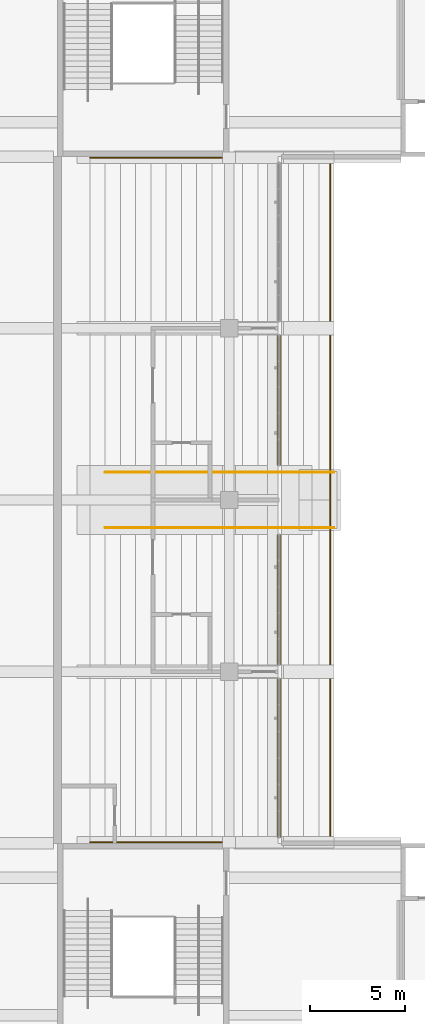
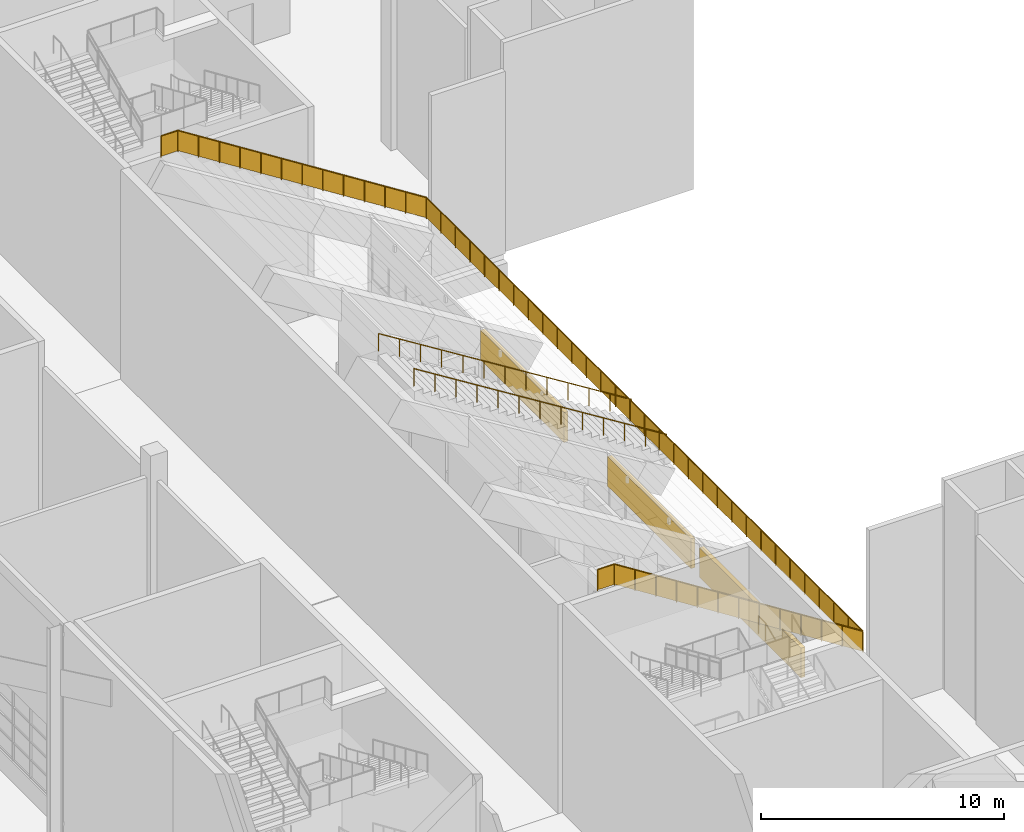
# One storey, part 151 of 182: 3 coverings, 3 railings.
"""IFC4 building model written with IfcOpenShell, lengths in metres."""

from ifc_helpers import new_model, si_unit, direction, frame, origin, origin_2d, place, context, subcontext, project, spatial, polyline, circle, outline, extrude, material, layer, layer_set, type_object, element, save


model = new_model("IFC4")

# Units and contexts
model_context = context("Model", 3, precision=1e-05, world=origin(), true_north=direction((0.0, 1.0)))
body_context = subcontext(model_context, "Body", "Model", "MODEL_VIEW")
ifc_project = project(units=[si_unit("LENGTHUNIT", "METRE"), si_unit("AREAUNIT", "SQUARE_METRE"), si_unit("VOLUMEUNIT", "CUBIC_METRE"), si_unit("PLANEANGLEUNIT", "RADIAN"), si_unit("MASSUNIT", "GRAM", prefix="KILO")], contexts=[model_context])

# Site, building, storey
site_placement = place(None, origin())
site = spatial("IfcSite", under=ifc_project, at=site_placement, CompositionType="ELEMENT")
building_placement = place(site_placement, origin())
building = spatial("IfcBuilding", under=site, at=building_placement, Name="Silverbay Arena", CompositionType="ELEMENT")
storey_placement = place(building_placement, frame((0.0, 0.0, 11.5)))
storey = spatial("IfcBuildingStorey", under=building, at=storey_placement, Name="L02", CompositionType="ELEMENT", Elevation=11.5)

# Railings
ifc_material_1 = material(Name="Stainless steel", Category="steel")
railing_type_1 = type_object("IfcRailingType", Name="Crowd barrier 1100", PredefinedType="GUARDRAIL", material=ifc_material_1)
railing_placement = place(storey_placement, frame((73.699951171875, 63.050048828125, 10.5)))
element("IfcRailing", 1, at=railing_placement, inside=storey, type_object=railing_type_1, Name="Crowd barrier West stand upper tier", PredefinedType="GUARDRAIL", context=body_context, shape_type="SweptSolid", body=[
    extrude(circle(Radius=0.02392578125, at=origin_2d()), frame((0.0, 0.0, 1.076171875), z_axis=(1.0, 0.0, 0.0), x_axis=(0.0, 1.0, 0.0)), (0.0, 0.0, 1.0), 0.800048828125),
    extrude(outline(polyline([(-0.008056640625, 0.050048828125), (0.80810546875, 0.050048828125), (0.80810546875, 1.052978515625), (-0.008056640625, 1.052978515625), (-0.008056640625, 0.050048828125)])), frame((0.0, 0.0029296875, 0.0), z_axis=(0.0, -1.0, 0.0), x_axis=(1.0, 0.0, 0.0)), (0.0, 0.0, 1.0), 0.006103515625),
    extrude(circle(Radius=0.02392578125, at=origin_2d()), frame((0.800048828125, 0.0, 1.076171875), z_axis=(0.843956866706, 0.0, -0.536411043081), x_axis=(0.0, 1.0, 0.0)), (0.0, 0.0, 1.0), 13.98193359375),
    extrude(outline(polyline([(-0.008056640625, 0.05517578125), (0.991455078125, -0.580078125), (0.991455078125, 0.4228515625), (-0.008056640625, 1.05810546875), (-0.008056640625, 0.05517578125)])), frame((0.800048828125, 0.0029296875, 0.0), z_axis=(0.0, -1.0, 0.0), x_axis=(1.0, 0.0, 0.0)), (0.0, 0.0, 1.0), 0.006103515625),
    extrude(outline(polyline([(-0.008056640625, -0.56982421875), (0.991455078125, -1.205078125), (0.991455078125, -0.2021484375), (-0.008056640625, 0.43310546875), (-0.008056640625, -0.56982421875)])), frame((1.783447265625, 0.0029296875, 0.0), z_axis=(0.0, -1.0, 0.0), x_axis=(1.0, 0.0, 0.0)), (0.0, 0.0, 1.0), 0.006103515625),
    extrude(outline(polyline([(-0.008056640625, -1.19482421875), (0.991455078125, -1.830078125), (0.991455078125, -0.8271484375), (-0.008056640625, -0.19189453125), (-0.008056640625, -1.19482421875)])), frame((2.7666015625, 0.0029296875, 0.0), z_axis=(0.0, -1.0, 0.0), x_axis=(1.0, 0.0, 0.0)), (0.0, 0.0, 1.0), 0.006103515625),
    extrude(outline(polyline([(-0.008056640625, -1.81982421875), (0.991455078125, -2.455078125), (0.991455078125, -1.4521484375), (-0.008056640625, -0.81689453125), (-0.008056640625, -1.81982421875)])), frame((3.75, 0.0029296875, 0.0), z_axis=(0.0, -1.0, 0.0), x_axis=(1.0, 0.0, 0.0)), (0.0, 0.0, 1.0), 0.006103515625),
    extrude(outline(polyline([(-0.008056640625, -2.44482421875), (0.991455078125, -3.080078125), (0.991455078125, -2.0771484375), (-0.008056640625, -1.44189453125), (-0.008056640625, -2.44482421875)])), frame((4.7333984375, 0.0029296875, 0.0), z_axis=(0.0, -1.0, 0.0), x_axis=(1.0, 0.0, 0.0)), (0.0, 0.0, 1.0), 0.006103515625),
    extrude(outline(polyline([(-0.008056640625, -3.06982421875), (0.991455078125, -3.705078125), (0.991455078125, -2.7021484375), (-0.008056640625, -2.06689453125), (-0.008056640625, -3.06982421875)])), frame((5.716796875, 0.0029296875, 0.0), z_axis=(0.0, -1.0, 0.0), x_axis=(1.0, 0.0, 0.0)), (0.0, 0.0, 1.0), 0.006103515625),
    extrude(outline(polyline([(-0.008056640625, -3.69482421875), (0.991455078125, -4.330078125), (0.991455078125, -3.3271484375), (-0.008056640625, -2.69189453125), (-0.008056640625, -3.69482421875)])), frame((6.7001953125, 0.0029296875, 0.0), z_axis=(0.0, -1.0, 0.0), x_axis=(1.0, 0.0, 0.0)), (0.0, 0.0, 1.0), 0.006103515625),
    extrude(outline(polyline([(-0.008056640625, -4.31982421875), (0.991455078125, -4.955078125), (0.991455078125, -3.9521484375), (-0.008056640625, -3.31689453125), (-0.008056640625, -4.31982421875)])), frame((7.683349609375, 0.0029296875, 0.0), z_axis=(0.0, -1.0, 0.0), x_axis=(1.0, 0.0, 0.0)), (0.0, 0.0, 1.0), 0.006103515625),
    extrude(outline(polyline([(-0.008056640625, -4.94482421875), (0.991455078125, -5.580078125), (0.991455078125, -4.5771484375), (-0.008056640625, -3.94189453125), (-0.008056640625, -4.94482421875)])), frame((8.666748046875, 0.0029296875, 0.0), z_axis=(0.0, -1.0, 0.0), x_axis=(1.0, 0.0, 0.0)), (0.0, 0.0, 1.0), 0.006103515625),
    extrude(outline(polyline([(-0.008056640625, -5.56982421875), (0.991455078125, -6.205078125), (0.991455078125, -5.2021484375), (-0.008056640625, -4.56689453125), (-0.008056640625, -5.56982421875)])), frame((9.650146484375, 0.0029296875, 0.0), z_axis=(0.0, -1.0, 0.0), x_axis=(1.0, 0.0, 0.0)), (0.0, 0.0, 1.0), 0.006103515625),
    extrude(outline(polyline([(-0.008056640625, -6.19482421875), (0.991455078125, -6.830078125), (0.991455078125, -5.8271484375), (-0.008056640625, -5.19189453125), (-0.008056640625, -6.19482421875)])), frame((10.63330078125, 0.0029296875, 0.0), z_axis=(0.0, -1.0, 0.0), x_axis=(1.0, 0.0, 0.0)), (0.0, 0.0, 1.0), 0.006103515625),
    extrude(outline(polyline([(-0.008056640625, -6.81982421875), (0.991455078125, -7.455078125), (0.991455078125, -6.4521484375), (-0.008056640625, -5.81689453125), (-0.008056640625, -6.81982421875)])), frame((11.61669921875, 0.0029296875, 0.0), z_axis=(0.0, -1.0, 0.0), x_axis=(1.0, 0.0, 0.0)), (0.0, 0.0, 1.0), 0.006103515625),
    extrude(circle(Radius=0.02392578125, at=origin_2d()), frame((12.60009765625, 0.0, -6.423828125), z_axis=(0.0, 1.0, 0.0), x_axis=(-1.0, 0.0, 0.0)), (0.0, 0.0, 1.0), 35.89990234375),
    extrude(outline(polyline([(-0.008056640625, -7.449951171875), (1.20458984375, -7.449951171875), (1.20458984375, -6.447021484375), (-0.008056640625, -6.447021484375), (-0.008056640625, -7.449951171875)])), frame((12.59716796875, 0.0, 0.0), z_axis=(1.0, 0.0, 0.0), x_axis=(0.0, 1.0, 0.0)), (0.0, 0.0, 1.0), 0.006103515625),
    extrude(outline(polyline([(-0.008056640625, -7.449951171875), (1.20458984375, -7.449951171875), (1.20458984375, -6.447021484375), (-0.008056640625, -6.447021484375), (-0.008056640625, -7.449951171875)])), frame((12.59716796875, 1.19677734375, 0.0), z_axis=(1.0, 0.0, 0.0), x_axis=(0.0, 1.0, 0.0)), (0.0, 0.0, 1.0), 0.006103515625),
    extrude(outline(polyline([(-0.008056640625, -7.449951171875), (1.20458984375, -7.449951171875), (1.20458984375, -6.447021484375), (-0.008056640625, -6.447021484375), (-0.008056640625, -7.449951171875)])), frame((12.59716796875, 2.393310546875, 0.0), z_axis=(1.0, 0.0, 0.0), x_axis=(0.0, 1.0, 0.0)), (0.0, 0.0, 1.0), 0.006103515625),
    extrude(outline(polyline([(-0.008056640625, -7.449951171875), (1.20458984375, -7.449951171875), (1.20458984375, -6.447021484375), (-0.008056640625, -6.447021484375), (-0.008056640625, -7.449951171875)])), frame((12.59716796875, 3.590087890625, 0.0), z_axis=(1.0, 0.0, 0.0), x_axis=(0.0, 1.0, 0.0)), (0.0, 0.0, 1.0), 0.006103515625),
    extrude(outline(polyline([(-0.008056640625, -7.449951171875), (1.20458984375, -7.449951171875), (1.20458984375, -6.447021484375), (-0.008056640625, -6.447021484375), (-0.008056640625, -7.449951171875)])), frame((12.59716796875, 4.78662109375, 0.0), z_axis=(1.0, 0.0, 0.0), x_axis=(0.0, 1.0, 0.0)), (0.0, 0.0, 1.0), 0.006103515625),
    extrude(outline(polyline([(-0.008056640625, -7.449951171875), (1.20458984375, -7.449951171875), (1.20458984375, -6.447021484375), (-0.008056640625, -6.447021484375), (-0.008056640625, -7.449951171875)])), frame((12.59716796875, 5.9833984375, 0.0), z_axis=(1.0, 0.0, 0.0), x_axis=(0.0, 1.0, 0.0)), (0.0, 0.0, 1.0), 0.006103515625),
    extrude(outline(polyline([(-0.008056640625, -7.449951171875), (1.20458984375, -7.449951171875), (1.20458984375, -6.447021484375), (-0.008056640625, -6.447021484375), (-0.008056640625, -7.449951171875)])), frame((12.59716796875, 7.179931640625, 0.0), z_axis=(1.0, 0.0, 0.0), x_axis=(0.0, 1.0, 0.0)), (0.0, 0.0, 1.0), 0.006103515625),
    extrude(outline(polyline([(-0.008056640625, -7.449951171875), (1.20458984375, -7.449951171875), (1.20458984375, -6.447021484375), (-0.008056640625, -6.447021484375), (-0.008056640625, -7.449951171875)])), frame((12.59716796875, 8.376708984375, 0.0), z_axis=(1.0, 0.0, 0.0), x_axis=(0.0, 1.0, 0.0)), (0.0, 0.0, 1.0), 0.006103515625),
    extrude(outline(polyline([(-0.008056640625, -7.449951171875), (1.20458984375, -7.449951171875), (1.20458984375, -6.447021484375), (-0.008056640625, -6.447021484375), (-0.008056640625, -7.449951171875)])), frame((12.59716796875, 9.5732421875, 0.0), z_axis=(1.0, 0.0, 0.0), x_axis=(0.0, 1.0, 0.0)), (0.0, 0.0, 1.0), 0.006103515625),
    extrude(outline(polyline([(-0.008056640625, -7.449951171875), (1.20458984375, -7.449951171875), (1.20458984375, -6.447021484375), (-0.008056640625, -6.447021484375), (-0.008056640625, -7.449951171875)])), frame((12.59716796875, 10.77001953125, 0.0), z_axis=(1.0, 0.0, 0.0), x_axis=(0.0, 1.0, 0.0)), (0.0, 0.0, 1.0), 0.006103515625),
    extrude(outline(polyline([(-0.008056640625, -7.449951171875), (1.20458984375, -7.449951171875), (1.20458984375, -6.447021484375), (-0.008056640625, -6.447021484375), (-0.008056640625, -7.449951171875)])), frame((12.59716796875, 11.966552734375, 0.0), z_axis=(1.0, 0.0, 0.0), x_axis=(0.0, 1.0, 0.0)), (0.0, 0.0, 1.0), 0.006103515625),
    extrude(outline(polyline([(-0.008056640625, -7.449951171875), (1.20458984375, -7.449951171875), (1.20458984375, -6.447021484375), (-0.008056640625, -6.447021484375), (-0.008056640625, -7.449951171875)])), frame((12.59716796875, 13.163330078125, 0.0), z_axis=(1.0, 0.0, 0.0), x_axis=(0.0, 1.0, 0.0)), (0.0, 0.0, 1.0), 0.006103515625),
    extrude(outline(polyline([(-0.008056640625, -7.449951171875), (1.20458984375, -7.449951171875), (1.20458984375, -6.447021484375), (-0.008056640625, -6.447021484375), (-0.008056640625, -7.449951171875)])), frame((12.59716796875, 14.35986328125, 0.0), z_axis=(1.0, 0.0, 0.0), x_axis=(0.0, 1.0, 0.0)), (0.0, 0.0, 1.0), 0.006103515625),
    extrude(outline(polyline([(-0.008056640625, -7.449951171875), (1.20458984375, -7.449951171875), (1.20458984375, -6.447021484375), (-0.008056640625, -6.447021484375), (-0.008056640625, -7.449951171875)])), frame((12.59716796875, 15.556640625, 0.0), z_axis=(1.0, 0.0, 0.0), x_axis=(0.0, 1.0, 0.0)), (0.0, 0.0, 1.0), 0.006103515625),
    extrude(outline(polyline([(-0.008056640625, -7.449951171875), (1.20458984375, -7.449951171875), (1.20458984375, -6.447021484375), (-0.008056640625, -6.447021484375), (-0.008056640625, -7.449951171875)])), frame((12.59716796875, 16.753173828125, 0.0), z_axis=(1.0, 0.0, 0.0), x_axis=(0.0, 1.0, 0.0)), (0.0, 0.0, 1.0), 0.006103515625),
    extrude(outline(polyline([(-0.008056640625, -7.449951171875), (1.20458984375, -7.449951171875), (1.20458984375, -6.447021484375), (-0.008056640625, -6.447021484375), (-0.008056640625, -7.449951171875)])), frame((12.59716796875, 17.949951171875, 0.0), z_axis=(1.0, 0.0, 0.0), x_axis=(0.0, 1.0, 0.0)), (0.0, 0.0, 1.0), 0.006103515625),
    extrude(outline(polyline([(-0.008056640625, -7.449951171875), (1.20458984375, -7.449951171875), (1.20458984375, -6.447021484375), (-0.008056640625, -6.447021484375), (-0.008056640625, -7.449951171875)])), frame((12.59716796875, 19.146728515625, 0.0), z_axis=(1.0, 0.0, 0.0), x_axis=(0.0, 1.0, 0.0)), (0.0, 0.0, 1.0), 0.006103515625),
    extrude(outline(polyline([(-0.008056640625, -7.449951171875), (1.20458984375, -7.449951171875), (1.20458984375, -6.447021484375), (-0.008056640625, -6.447021484375), (-0.008056640625, -7.449951171875)])), frame((12.59716796875, 20.34326171875, 0.0), z_axis=(1.0, 0.0, 0.0), x_axis=(0.0, 1.0, 0.0)), (0.0, 0.0, 1.0), 0.006103515625),
    extrude(outline(polyline([(-0.008056640625, -7.449951171875), (1.20458984375, -7.449951171875), (1.20458984375, -6.447021484375), (-0.008056640625, -6.447021484375), (-0.008056640625, -7.449951171875)])), frame((12.59716796875, 21.5400390625, 0.0), z_axis=(1.0, 0.0, 0.0), x_axis=(0.0, 1.0, 0.0)), (0.0, 0.0, 1.0), 0.006103515625),
    extrude(outline(polyline([(-0.008056640625, -7.449951171875), (1.20458984375, -7.449951171875), (1.20458984375, -6.447021484375), (-0.008056640625, -6.447021484375), (-0.008056640625, -7.449951171875)])), frame((12.59716796875, 22.736572265625, 0.0), z_axis=(1.0, 0.0, 0.0), x_axis=(0.0, 1.0, 0.0)), (0.0, 0.0, 1.0), 0.006103515625),
    extrude(outline(polyline([(-0.008056640625, -7.449951171875), (1.20458984375, -7.449951171875), (1.20458984375, -6.447021484375), (-0.008056640625, -6.447021484375), (-0.008056640625, -7.449951171875)])), frame((12.59716796875, 23.933349609375, 0.0), z_axis=(1.0, 0.0, 0.0), x_axis=(0.0, 1.0, 0.0)), (0.0, 0.0, 1.0), 0.006103515625),
    extrude(outline(polyline([(-0.008056640625, -7.449951171875), (1.20458984375, -7.449951171875), (1.20458984375, -6.447021484375), (-0.008056640625, -6.447021484375), (-0.008056640625, -7.449951171875)])), frame((12.59716796875, 25.1298828125, 0.0), z_axis=(1.0, 0.0, 0.0), x_axis=(0.0, 1.0, 0.0)), (0.0, 0.0, 1.0), 0.006103515625),
    extrude(outline(polyline([(-0.008056640625, -7.449951171875), (1.20458984375, -7.449951171875), (1.20458984375, -6.447021484375), (-0.008056640625, -6.447021484375), (-0.008056640625, -7.449951171875)])), frame((12.59716796875, 26.32666015625, 0.0), z_axis=(1.0, 0.0, 0.0), x_axis=(0.0, 1.0, 0.0)), (0.0, 0.0, 1.0), 0.006103515625),
    extrude(outline(polyline([(-0.008056640625, -7.449951171875), (1.20458984375, -7.449951171875), (1.20458984375, -6.447021484375), (-0.008056640625, -6.447021484375), (-0.008056640625, -7.449951171875)])), frame((12.59716796875, 27.523193359375, 0.0), z_axis=(1.0, 0.0, 0.0), x_axis=(0.0, 1.0, 0.0)), (0.0, 0.0, 1.0), 0.006103515625),
    extrude(outline(polyline([(-0.008056640625, -7.449951171875), (1.20458984375, -7.449951171875), (1.20458984375, -6.447021484375), (-0.008056640625, -6.447021484375), (-0.008056640625, -7.449951171875)])), frame((12.59716796875, 28.719970703125, 0.0), z_axis=(1.0, 0.0, 0.0), x_axis=(0.0, 1.0, 0.0)), (0.0, 0.0, 1.0), 0.006103515625),
    extrude(outline(polyline([(-0.008056640625, -7.449951171875), (1.20458984375, -7.449951171875), (1.20458984375, -6.447021484375), (-0.008056640625, -6.447021484375), (-0.008056640625, -7.449951171875)])), frame((12.59716796875, 29.91650390625, 0.0), z_axis=(1.0, 0.0, 0.0), x_axis=(0.0, 1.0, 0.0)), (0.0, 0.0, 1.0), 0.006103515625),
    extrude(outline(polyline([(-0.008056640625, -7.449951171875), (1.20458984375, -7.449951171875), (1.20458984375, -6.447021484375), (-0.008056640625, -6.447021484375), (-0.008056640625, -7.449951171875)])), frame((12.59716796875, 31.11328125, 0.0), z_axis=(1.0, 0.0, 0.0), x_axis=(0.0, 1.0, 0.0)), (0.0, 0.0, 1.0), 0.006103515625),
    extrude(outline(polyline([(-0.008056640625, -7.449951171875), (1.20458984375, -7.449951171875), (1.20458984375, -6.447021484375), (-0.008056640625, -6.447021484375), (-0.008056640625, -7.449951171875)])), frame((12.59716796875, 32.309814453125, 0.0), z_axis=(1.0, 0.0, 0.0), x_axis=(0.0, 1.0, 0.0)), (0.0, 0.0, 1.0), 0.006103515625),
    extrude(outline(polyline([(-0.008056640625, -7.449951171875), (1.20458984375, -7.449951171875), (1.20458984375, -6.447021484375), (-0.008056640625, -6.447021484375), (-0.008056640625, -7.449951171875)])), frame((12.59716796875, 33.506591796875, 0.0), z_axis=(1.0, 0.0, 0.0), x_axis=(0.0, 1.0, 0.0)), (0.0, 0.0, 1.0), 0.006103515625),
    extrude(outline(polyline([(-0.008056640625, -7.449951171875), (1.20458984375, -7.449951171875), (1.20458984375, -6.447021484375), (-0.008056640625, -6.447021484375), (-0.008056640625, -7.449951171875)])), frame((12.59716796875, 34.703125, 0.0), z_axis=(1.0, 0.0, 0.0), x_axis=(0.0, 1.0, 0.0)), (0.0, 0.0, 1.0), 0.006103515625),
    extrude(circle(Radius=0.02392578125, at=origin_2d()), frame((12.60009765625, 35.89990234375, -6.423828125), z_axis=(-0.843956866706, 0.0, 0.536411043081), x_axis=(0.0, -1.0, 0.0)), (0.0, 0.0, 1.0), 13.98193359375),
    extrude(outline(polyline([(-0.008056640625, -7.455078125), (0.991455078125, -6.81982421875), (0.991455078125, -5.81689453125), (-0.008056640625, -6.4521484375), (-0.008056640625, -7.455078125)])), frame((12.60009765625, 35.89697265625, 0.0), z_axis=(0.0, 1.0, 0.0), x_axis=(-1.0, 0.0, 0.0)), (0.0, 0.0, 1.0), 0.006103515625),
    extrude(outline(polyline([(-0.008056640625, -6.830078125), (0.991455078125, -6.19482421875), (0.991455078125, -5.19189453125), (-0.008056640625, -5.8271484375), (-0.008056640625, -6.830078125)])), frame((11.61669921875, 35.89697265625, 0.0), z_axis=(0.0, 1.0, 0.0), x_axis=(-1.0, 0.0, 0.0)), (0.0, 0.0, 1.0), 0.006103515625),
    extrude(outline(polyline([(-0.008056640625, -6.205078125), (0.991455078125, -5.56982421875), (0.991455078125, -4.56689453125), (-0.008056640625, -5.2021484375), (-0.008056640625, -6.205078125)])), frame((10.63330078125, 35.89697265625, 0.0), z_axis=(0.0, 1.0, 0.0), x_axis=(-1.0, 0.0, 0.0)), (0.0, 0.0, 1.0), 0.006103515625),
    extrude(outline(polyline([(-0.008056640625, -5.580078125), (0.991455078125, -4.94482421875), (0.991455078125, -3.94189453125), (-0.008056640625, -4.5771484375), (-0.008056640625, -5.580078125)])), frame((9.650146484375, 35.89697265625, 0.0), z_axis=(0.0, 1.0, 0.0), x_axis=(-1.0, 0.0, 0.0)), (0.0, 0.0, 1.0), 0.006103515625),
    extrude(outline(polyline([(-0.008056640625, -4.955078125), (0.991455078125, -4.31982421875), (0.991455078125, -3.31689453125), (-0.008056640625, -3.9521484375), (-0.008056640625, -4.955078125)])), frame((8.666748046875, 35.89697265625, 0.0), z_axis=(0.0, 1.0, 0.0), x_axis=(-1.0, 0.0, 0.0)), (0.0, 0.0, 1.0), 0.006103515625),
    extrude(outline(polyline([(-0.008056640625, -4.330078125), (0.991455078125, -3.69482421875), (0.991455078125, -2.69189453125), (-0.008056640625, -3.3271484375), (-0.008056640625, -4.330078125)])), frame((7.683349609375, 35.89697265625, 0.0), z_axis=(0.0, 1.0, 0.0), x_axis=(-1.0, 0.0, 0.0)), (0.0, 0.0, 1.0), 0.006103515625),
    extrude(outline(polyline([(-0.008056640625, -3.705078125), (0.991455078125, -3.06982421875), (0.991455078125, -2.06689453125), (-0.008056640625, -2.7021484375), (-0.008056640625, -3.705078125)])), frame((6.7001953125, 35.89697265625, 0.0), z_axis=(0.0, 1.0, 0.0), x_axis=(-1.0, 0.0, 0.0)), (0.0, 0.0, 1.0), 0.006103515625),
    extrude(outline(polyline([(-0.008056640625, -3.080078125), (0.991455078125, -2.44482421875), (0.991455078125, -1.44189453125), (-0.008056640625, -2.0771484375), (-0.008056640625, -3.080078125)])), frame((5.716796875, 35.89697265625, 0.0), z_axis=(0.0, 1.0, 0.0), x_axis=(-1.0, 0.0, 0.0)), (0.0, 0.0, 1.0), 0.006103515625),
    extrude(outline(polyline([(-0.008056640625, -2.455078125), (0.991455078125, -1.81982421875), (0.991455078125, -0.81689453125), (-0.008056640625, -1.4521484375), (-0.008056640625, -2.455078125)])), frame((4.7333984375, 35.89697265625, 0.0), z_axis=(0.0, 1.0, 0.0), x_axis=(-1.0, 0.0, 0.0)), (0.0, 0.0, 1.0), 0.006103515625),
    extrude(outline(polyline([(-0.008056640625, -1.830078125), (0.991455078125, -1.19482421875), (0.991455078125, -0.19189453125), (-0.008056640625, -0.8271484375), (-0.008056640625, -1.830078125)])), frame((3.75, 35.89697265625, 0.0), z_axis=(0.0, 1.0, 0.0), x_axis=(-1.0, 0.0, 0.0)), (0.0, 0.0, 1.0), 0.006103515625),
    extrude(outline(polyline([(-0.008056640625, -1.205078125), (0.991455078125, -0.56982421875), (0.991455078125, 0.43310546875), (-0.008056640625, -0.2021484375), (-0.008056640625, -1.205078125)])), frame((2.7666015625, 35.89697265625, 0.0), z_axis=(0.0, 1.0, 0.0), x_axis=(-1.0, 0.0, 0.0)), (0.0, 0.0, 1.0), 0.006103515625),
    extrude(outline(polyline([(-0.008056640625, -0.580078125), (0.991455078125, 0.05517578125), (0.991455078125, 1.05810546875), (-0.008056640625, 0.4228515625), (-0.008056640625, -0.580078125)])), frame((1.783447265625, 35.89697265625, 0.0), z_axis=(0.0, 1.0, 0.0), x_axis=(-1.0, 0.0, 0.0)), (0.0, 0.0, 1.0), 0.006103515625),
    extrude(circle(Radius=0.02392578125, at=origin_2d()), frame((0.800048828125, 35.89990234375, 1.076171875), z_axis=(-1.0, 0.0, 0.0), x_axis=(0.0, -1.0, 0.0)), (0.0, 0.0, 1.0), 0.800048828125),
    extrude(outline(polyline([(-0.008056640625, 0.050048828125), (0.80810546875, 0.050048828125), (0.80810546875, 1.052978515625), (-0.008056640625, 1.052978515625), (-0.008056640625, 0.050048828125)])), frame((0.800048828125, 35.89697265625, 0.0), z_axis=(0.0, 1.0, 0.0), x_axis=(-1.0, 0.0, 0.0)), (0.0, 0.0, 1.0), 0.006103515625),
    extrude(circle(Radius=0.02099609375, at=origin_2d()), origin(), (0.0, 0.0, 1.0), 1.052001953125),
    extrude(circle(Radius=0.02099609375, at=origin_2d()), frame((0.800048828125, 0.0, 0.0)), (0.0, 0.0, 1.0), 1.052001953125),
    extrude(circle(Radius=0.02099609375, at=origin_2d()), frame((1.783447265625, 0.0, -0.625)), (0.0, 0.0, 1.0), 1.052001953125),
    extrude(circle(Radius=0.02099609375, at=origin_2d()), frame((2.7666015625, 0.0, -1.25)), (0.0, 0.0, 1.0), 1.052001953125),
    extrude(circle(Radius=0.02099609375, at=origin_2d()), frame((3.75, 0.0, -1.875)), (0.0, 0.0, 1.0), 1.052001953125),
    extrude(circle(Radius=0.02099609375, at=origin_2d()), frame((4.7333984375, 0.0, -2.5)), (0.0, 0.0, 1.0), 1.052001953125),
    extrude(circle(Radius=0.02099609375, at=origin_2d()), frame((5.716796875, 0.0, -3.125)), (0.0, 0.0, 1.0), 1.052001953125),
    extrude(circle(Radius=0.02099609375, at=origin_2d()), frame((6.7001953125, 0.0, -3.75)), (0.0, 0.0, 1.0), 1.052001953125),
    extrude(circle(Radius=0.02099609375, at=origin_2d()), frame((7.683349609375, 0.0, -4.375)), (0.0, 0.0, 1.0), 1.052001953125),
    extrude(circle(Radius=0.02099609375, at=origin_2d()), frame((8.666748046875, 0.0, -5.0)), (0.0, 0.0, 1.0), 1.052001953125),
    extrude(circle(Radius=0.02099609375, at=origin_2d()), frame((9.650146484375, 0.0, -5.625)), (0.0, 0.0, 1.0), 1.052001953125),
    extrude(circle(Radius=0.02099609375, at=origin_2d()), frame((10.63330078125, 0.0, -6.25)), (0.0, 0.0, 1.0), 1.052001953125),
    extrude(circle(Radius=0.02099609375, at=origin_2d()), frame((11.61669921875, 0.0, -6.875)), (0.0, 0.0, 1.0), 1.052001953125),
    extrude(circle(Radius=0.02099609375, at=origin_2d()), frame((12.60009765625, 0.0, -7.5)), (0.0, 0.0, 1.0), 1.052001953125),
    extrude(circle(Radius=0.02099609375, at=origin_2d()), frame((12.60009765625, 1.19677734375, -7.5)), (0.0, 0.0, 1.0), 1.052001953125),
    extrude(circle(Radius=0.02099609375, at=origin_2d()), frame((12.60009765625, 2.393310546875, -7.5)), (0.0, 0.0, 1.0), 1.052001953125),
    extrude(circle(Radius=0.02099609375, at=origin_2d()), frame((12.60009765625, 3.590087890625, -7.5)), (0.0, 0.0, 1.0), 1.052001953125),
    extrude(circle(Radius=0.02099609375, at=origin_2d()), frame((12.60009765625, 4.78662109375, -7.5)), (0.0, 0.0, 1.0), 1.052001953125),
    extrude(circle(Radius=0.02099609375, at=origin_2d()), frame((12.60009765625, 5.9833984375, -7.5)), (0.0, 0.0, 1.0), 1.052001953125),
    extrude(circle(Radius=0.02099609375, at=origin_2d()), frame((12.60009765625, 7.179931640625, -7.5)), (0.0, 0.0, 1.0), 1.052001953125),
    extrude(circle(Radius=0.02099609375, at=origin_2d()), frame((12.60009765625, 8.376708984375, -7.5)), (0.0, 0.0, 1.0), 1.052001953125),
    extrude(circle(Radius=0.02099609375, at=origin_2d()), frame((12.60009765625, 9.5732421875, -7.5)), (0.0, 0.0, 1.0), 1.052001953125),
    extrude(circle(Radius=0.02099609375, at=origin_2d()), frame((12.60009765625, 10.77001953125, -7.5)), (0.0, 0.0, 1.0), 1.052001953125),
    extrude(circle(Radius=0.02099609375, at=origin_2d()), frame((12.60009765625, 11.966552734375, -7.5)), (0.0, 0.0, 1.0), 1.052001953125),
    extrude(circle(Radius=0.02099609375, at=origin_2d()), frame((12.60009765625, 13.163330078125, -7.5)), (0.0, 0.0, 1.0), 1.052001953125),
    extrude(circle(Radius=0.02099609375, at=origin_2d()), frame((12.60009765625, 14.35986328125, -7.5)), (0.0, 0.0, 1.0), 1.052001953125),
    extrude(circle(Radius=0.02099609375, at=origin_2d()), frame((12.60009765625, 15.556640625, -7.5)), (0.0, 0.0, 1.0), 1.052001953125),
    extrude(circle(Radius=0.02099609375, at=origin_2d()), frame((12.60009765625, 16.753173828125, -7.5)), (0.0, 0.0, 1.0), 1.052001953125),
    extrude(circle(Radius=0.02099609375, at=origin_2d()), frame((12.60009765625, 17.949951171875, -7.5)), (0.0, 0.0, 1.0), 1.052001953125),
    extrude(circle(Radius=0.02099609375, at=origin_2d()), frame((12.60009765625, 19.146728515625, -7.5)), (0.0, 0.0, 1.0), 1.052001953125),
    extrude(circle(Radius=0.02099609375, at=origin_2d()), frame((12.60009765625, 20.34326171875, -7.5)), (0.0, 0.0, 1.0), 1.052001953125),
    extrude(circle(Radius=0.02099609375, at=origin_2d()), frame((12.60009765625, 21.5400390625, -7.5)), (0.0, 0.0, 1.0), 1.052001953125),
    extrude(circle(Radius=0.02099609375, at=origin_2d()), frame((12.60009765625, 22.736572265625, -7.5)), (0.0, 0.0, 1.0), 1.052001953125),
    extrude(circle(Radius=0.02099609375, at=origin_2d()), frame((12.60009765625, 23.933349609375, -7.5)), (0.0, 0.0, 1.0), 1.052001953125),
    extrude(circle(Radius=0.02099609375, at=origin_2d()), frame((12.60009765625, 25.1298828125, -7.5)), (0.0, 0.0, 1.0), 1.052001953125),
    extrude(circle(Radius=0.02099609375, at=origin_2d()), frame((12.60009765625, 26.32666015625, -7.5)), (0.0, 0.0, 1.0), 1.052001953125),
    extrude(circle(Radius=0.02099609375, at=origin_2d()), frame((12.60009765625, 27.523193359375, -7.5)), (0.0, 0.0, 1.0), 1.052001953125),
    extrude(circle(Radius=0.02099609375, at=origin_2d()), frame((12.60009765625, 28.719970703125, -7.5)), (0.0, 0.0, 1.0), 1.052001953125),
    extrude(circle(Radius=0.02099609375, at=origin_2d()), frame((12.60009765625, 29.91650390625, -7.5)), (0.0, 0.0, 1.0), 1.052001953125),
    extrude(circle(Radius=0.02099609375, at=origin_2d()), frame((12.60009765625, 31.11328125, -7.5)), (0.0, 0.0, 1.0), 1.052001953125),
    extrude(circle(Radius=0.02099609375, at=origin_2d()), frame((12.60009765625, 32.309814453125, -7.5)), (0.0, 0.0, 1.0), 1.052001953125),
    extrude(circle(Radius=0.02099609375, at=origin_2d()), frame((12.60009765625, 33.506591796875, -7.5)), (0.0, 0.0, 1.0), 1.052001953125),
    extrude(circle(Radius=0.02099609375, at=origin_2d()), frame((12.60009765625, 34.703125, -7.5)), (0.0, 0.0, 1.0), 1.052001953125),
    extrude(circle(Radius=0.02099609375, at=origin_2d()), frame((12.60009765625, 35.89990234375, -7.5)), (0.0, 0.0, 1.0), 1.052001953125),
    extrude(circle(Radius=0.02099609375, at=origin_2d()), frame((11.61669921875, 35.89990234375, -6.875)), (0.0, 0.0, 1.0), 1.052001953125),
    extrude(circle(Radius=0.02099609375, at=origin_2d()), frame((10.63330078125, 35.89990234375, -6.25)), (0.0, 0.0, 1.0), 1.052001953125),
    extrude(circle(Radius=0.02099609375, at=origin_2d()), frame((9.650146484375, 35.89990234375, -5.625)), (0.0, 0.0, 1.0), 1.052001953125),
    extrude(circle(Radius=0.02099609375, at=origin_2d()), frame((8.666748046875, 35.89990234375, -5.0)), (0.0, 0.0, 1.0), 1.052001953125),
    extrude(circle(Radius=0.02099609375, at=origin_2d()), frame((7.683349609375, 35.89990234375, -4.375)), (0.0, 0.0, 1.0), 1.052001953125),
    extrude(circle(Radius=0.02099609375, at=origin_2d()), frame((6.7001953125, 35.89990234375, -3.75)), (0.0, 0.0, 1.0), 1.052001953125),
    extrude(circle(Radius=0.02099609375, at=origin_2d()), frame((5.716796875, 35.89990234375, -3.125)), (0.0, 0.0, 1.0), 1.052001953125),
    extrude(circle(Radius=0.02099609375, at=origin_2d()), frame((4.7333984375, 35.89990234375, -2.5)), (0.0, 0.0, 1.0), 1.052001953125),
    extrude(circle(Radius=0.02099609375, at=origin_2d()), frame((3.75, 35.89990234375, -1.875)), (0.0, 0.0, 1.0), 1.052001953125),
    extrude(circle(Radius=0.02099609375, at=origin_2d()), frame((2.7666015625, 35.89990234375, -1.25)), (0.0, 0.0, 1.0), 1.052001953125),
    extrude(circle(Radius=0.02099609375, at=origin_2d()), frame((1.783447265625, 35.89990234375, -0.625)), (0.0, 0.0, 1.0), 1.052001953125),
    extrude(circle(Radius=0.02099609375, at=origin_2d()), frame((0.800048828125, 35.89990234375, 0.0)), (0.0, 0.0, 1.0), 1.052001953125),
    extrude(circle(Radius=0.02099609375, at=origin_2d()), frame((0.0, 35.89990234375, 0.0)), (0.0, 0.0, 1.0), 1.052001953125),
])
ifc_material_2 = material(Name="Stainless steel", Category="steel")
railing_type_2 = type_object("IfcRailingType", Name="Stair handrail 900", PredefinedType="HANDRAIL", material=ifc_material_2)
for number, where, name in (
    (2, (86.5, 79.550048828125, 3.0), "Vomitory stair V10 handrail left"),
    (3, (86.5, 82.449951171875, 3.0), "Vomitory stair V10 handrail right"),
):
    element("IfcRailing", number, at=place(storey_placement, frame(where)), inside=storey, type_object=railing_type_2, Name=name, PredefinedType="HANDRAIL", context=body_context, shape_type="SweptSolid", body=[
        extrude(circle(Radius=0.02392578125, at=origin_2d()), frame((0.0, 0.0, 0.8759765625), z_axis=(-0.847998304005, 0.0, 0.529998940003), x_axis=(0.0, -1.0, 0.0)), (0.0, 0.0, 1.0), 14.15087890625),
        extrude(circle(Radius=0.02099609375, at=origin_2d()), origin(), (0.0, 0.0, 1.0), 0.851806640625),
        extrude(circle(Radius=0.02099609375, at=origin_2d()), frame((-1.0, 0.0, 0.625)), (0.0, 0.0, 1.0), 0.851806640625),
        extrude(circle(Radius=0.02099609375, at=origin_2d()), frame((-2.0, 0.0, 1.25)), (0.0, 0.0, 1.0), 0.851806640625),
        extrude(circle(Radius=0.02099609375, at=origin_2d()), frame((-3.0, 0.0, 1.875)), (0.0, 0.0, 1.0), 0.851806640625),
        extrude(circle(Radius=0.02099609375, at=origin_2d()), frame((-4.0, 0.0, 2.5)), (0.0, 0.0, 1.0), 0.851806640625),
        extrude(circle(Radius=0.02099609375, at=origin_2d()), frame((-5.0, 0.0, 3.125)), (0.0, 0.0, 1.0), 0.851806640625),
        extrude(circle(Radius=0.02099609375, at=origin_2d()), frame((-6.0, 0.0, 3.75)), (0.0, 0.0, 1.0), 0.851806640625),
        extrude(circle(Radius=0.02099609375, at=origin_2d()), frame((-7.0, 0.0, 4.375)), (0.0, 0.0, 1.0), 0.851806640625),
        extrude(circle(Radius=0.02099609375, at=origin_2d()), frame((-8.0, 0.0, 5.0)), (0.0, 0.0, 1.0), 0.851806640625),
        extrude(circle(Radius=0.02099609375, at=origin_2d()), frame((-9.0, 0.0, 5.625)), (0.0, 0.0, 1.0), 0.851806640625),
        extrude(circle(Radius=0.02099609375, at=origin_2d()), frame((-10.0, 0.0, 6.25)), (0.0, 0.0, 1.0), 0.851806640625),
        extrude(circle(Radius=0.02099609375, at=origin_2d()), frame((-11.0, 0.0, 6.875)), (0.0, 0.0, 1.0), 0.851806640625),
        extrude(circle(Radius=0.02099609375, at=origin_2d()), frame((-12.0, 0.0, 7.5)), (0.0, 0.0, 1.0), 0.851806640625),
    ])

# Coverings
ifc_material_3 = material(Name="Aluminium composite cladding", Category="aluminium")
ifc_layer = layer(ifc_material_3, 0.199951171875)
ifc_layer_set = layer_set([ifc_layer], Name="Aluminium composite cladding")
covering_type = type_object("IfcCoveringType", Name="Suite front fascia cladding 200", PredefinedType="CLADDING", material=ifc_layer_set)
covering_1_placement = place(storey_placement, frame((0.0, 0.0, 2.537109375)))
element("IfcCovering", 4, at=covering_1_placement, inside=storey, type_object=covering_type, Name="West suite front fascia 1", PredefinedType="CLADDING", context=body_context, shape_type="SweptSolid", body=[
    extrude(outline(polyline([(83.5, 63.300048828125), (83.5, 71.64990234375), (83.699951171875, 71.64990234375), (83.699951171875, 63.300048828125), (83.5, 63.300048828125)])), origin(), (0.0, 0.0, 1.0), 1.496826171875),
])
covering_2_placement = place(storey_placement, frame((0.0, 0.0, 2.537109375)))
element("IfcCovering", 5, at=covering_2_placement, inside=storey, type_object=covering_type, Name="West suite front fascia 2", PredefinedType="CLADDING", context=body_context, shape_type="SweptSolid", body=[
    extrude(outline(polyline([(83.5, 72.35009765625), (83.5, 79.199951171875), (83.699951171875, 79.199951171875), (83.699951171875, 72.35009765625), (83.5, 72.35009765625)])), origin(), (0.0, 0.0, 1.0), 1.496826171875),
])
covering_3_placement = place(storey_placement, frame((0.0, 0.0, 2.537109375)))
element("IfcCovering", 6, at=covering_3_placement, inside=storey, type_object=covering_type, Name="West suite front fascia 3", PredefinedType="CLADDING", context=body_context, shape_type="SweptSolid", body=[
    extrude(outline(polyline([(83.5, 82.800048828125), (83.5, 89.64990234375), (83.699951171875, 89.64990234375), (83.699951171875, 82.800048828125), (83.5, 82.800048828125)])), origin(), (0.0, 0.0, 1.0), 1.496826171875),
])

save(model, "model.ifc")
